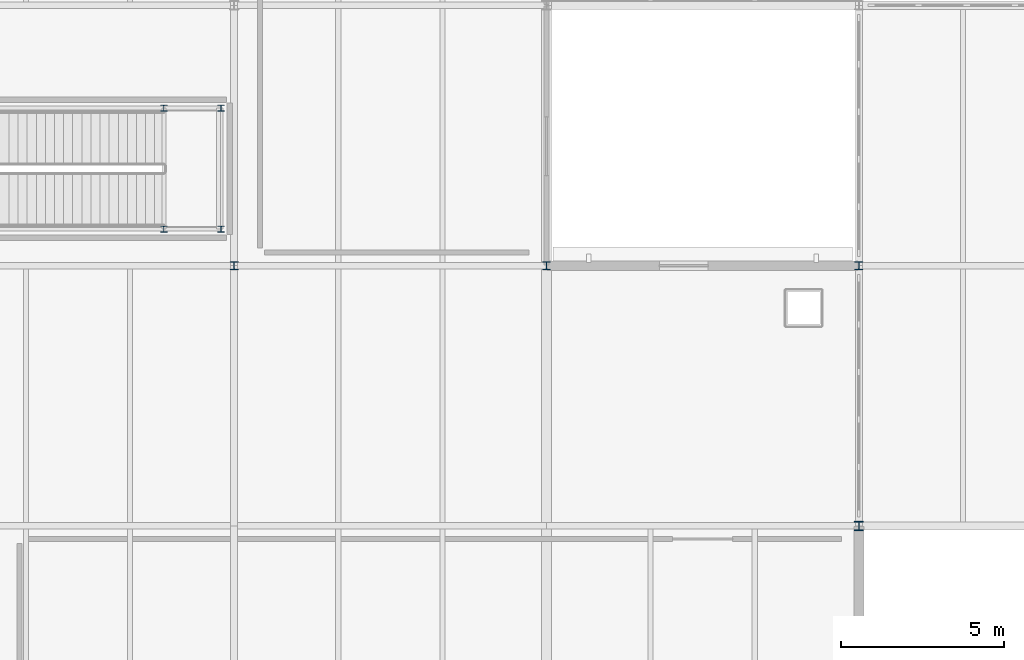
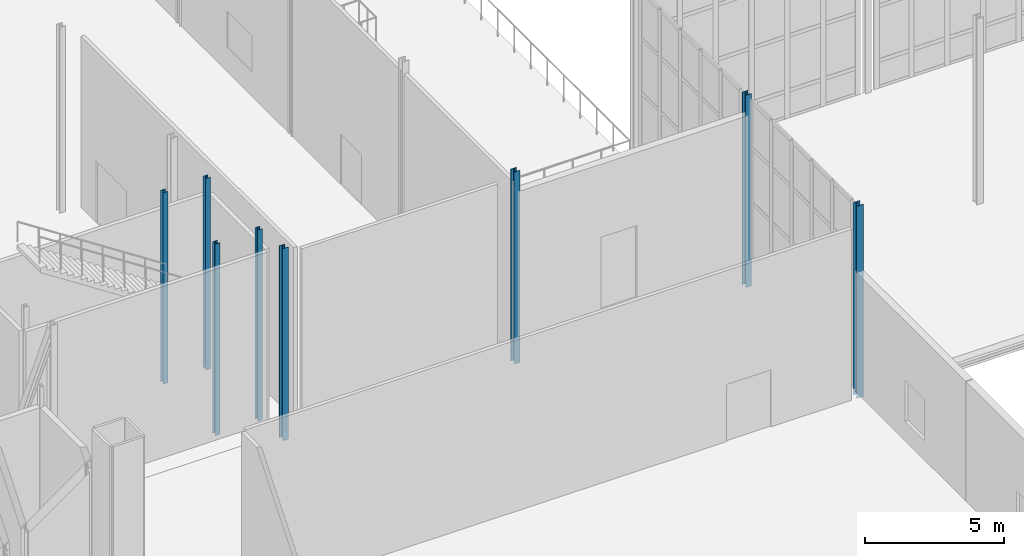
# One storey, part 6 of 73: 8 columns.
"""IFC4 building model written with IfcOpenShell, lengths in metres."""

import ifcopenshell
import ifcopenshell.guid

model = None  # the IFC model being written
_history = None  # IfcOwnerHistory: only IFC2X3 demands one
_inside = {}  # id of a spatial element -> (the spatial element, [elements in it])
_under = {}  # id of a project, library or spatial element -> (it, [spatial elements below it])
_declared = {}  # id of a project -> (the project, [libraries it declares])
_typed = {}  # id of a type object -> (the type object, [elements of that type])
_made_of = {}  # id of a material, layer set ... -> (it, [elements and type objects made of it])


def new_model(schema):
    """Start an empty IFC model of exactly this schema.

    Asked for "IFC4X3", IfcOpenShell would pick the latest addendum, in which some entities
    have other attributes; the version numbers below select the first issue.
    IFC2X3 requires an IfcOwnerHistory on every rooted entity: one is made here for all.
    """
    global model, _history
    if schema == "IFC4X3":
        model = ifcopenshell.file(schema_version=(4, 3, 0, 0))
    else:
        model = ifcopenshell.file(schema=schema)
    _inside.clear()
    _under.clear()
    _declared.clear()
    _typed.clear()
    _made_of.clear()
    _history = None
    if model.schema == "IFC2X3":
        org = make("IfcOrganization", Name="unknown")
        user = make(
            "IfcPersonAndOrganization",
            ThePerson=make("IfcPerson", FamilyName="unknown"),
            TheOrganization=org,
        )
        app = make(
            "IfcApplication",
            ApplicationDeveloper=org,
            Version="unknown",
            ApplicationFullName="unknown",
            ApplicationIdentifier="unknown",
        )
        _history = make(
            "IfcOwnerHistory",
            OwningUser=user,
            OwningApplication=app,
            ChangeAction="ADDED",
            CreationDate=0,
        )
    return model


def make(cls, **values):
    """One entity of the class cls with the attributes given. An attribute that is None is left unset."""
    return model.create_entity(
        cls, **{name: value for name, value in values.items() if value is not None}
    )


def rooted(cls, **values):
    """An entity with a GlobalId (a new one), such as an element, a storey or a relation."""
    return make(cls, GlobalId=ifcopenshell.guid.new(), OwnerHistory=_history, **values)


def si_unit(unit_type, name, prefix=None):
    """IfcSIUnit, for example si_unit("LENGTHUNIT", "METRE", prefix="MILLI")."""
    return make("IfcSIUnit", UnitType=unit_type, Prefix=prefix, Name=name)


def assignment(units):
    """IfcUnitAssignment: the units of a project."""
    return None if units is None else make("IfcUnitAssignment", Units=units)


def point(xyz):
    """IfcCartesianPoint."""
    return None if xyz is None else make("IfcCartesianPoint", Coordinates=xyz)


def direction(xyz):
    """IfcDirection."""
    return None if xyz is None else make("IfcDirection", DirectionRatios=xyz)


def frame(location, z_axis=None, x_axis=None):
    """IfcAxis2Placement3D, a coordinate frame: its origin and axes. An axis left out is left unset."""
    return make(
        "IfcAxis2Placement3D",
        Location=point(location),
        Axis=direction(z_axis),
        RefDirection=direction(x_axis),
    )


def frame_2d(location, x_axis=None):
    """IfcAxis2Placement2D, a coordinate frame in the plane: its origin and x axis."""
    return make(
        "IfcAxis2Placement2D", Location=point(location), RefDirection=direction(x_axis)
    )


def origin():
    """The frame at (0, 0, 0) with its axes left unset."""
    return frame((0.0, 0.0, 0.0))


def origin_2d():
    """The frame at (0, 0) in the plane with its x axis left unset."""
    return frame_2d((0.0, 0.0))


def place(relative_to, where):
    """IfcLocalPlacement: puts the frame where relative to a parent placement (None: the world)."""
    return make(
        "IfcLocalPlacement", PlacementRelTo=relative_to, RelativePlacement=where
    )


def context(
    kind, dimensions, precision=None, world=None, true_north=None, identifier=None
):
    """IfcGeometricRepresentationContext, for example the 3D "Model" context."""
    return make(
        "IfcGeometricRepresentationContext",
        ContextIdentifier=identifier,
        ContextType=kind,
        CoordinateSpaceDimension=dimensions,
        Precision=precision,
        WorldCoordinateSystem=world,
        TrueNorth=true_north,
    )


def subcontext(parent, identifier, kind, view, scale=None):
    """IfcGeometricRepresentationSubContext, for example "Body" below "Model"."""
    return make(
        "IfcGeometricRepresentationSubContext",
        ContextIdentifier=identifier,
        ContextType=kind,
        ParentContext=parent,
        TargetScale=scale,
        TargetView=view,
    )


def project(units=None, contexts=None):
    """IfcProject with its units and contexts."""
    return rooted(
        "IfcProject",
        Name="project",
        RepresentationContexts=contexts,
        UnitsInContext=assignment(units),
    )


def spatial(cls, under=None, at=None, **own):
    """A site, building, storey or space (cls), placed at a placement, below another one or the project."""
    s = rooted(cls, ObjectPlacement=at, **own)
    if under is not None:
        _under.setdefault(under.id(), (under, []))[1].append(s)
    return s


def profile(cls, at=None, kind="AREA", **sizes):
    """A parametric profile (cls). Its sizes go by their IFC names, for example OverallWidth=200.0."""
    return make(cls, ProfileType=kind, Position=at, **sizes)


def i_section(**sizes):
    """IfcIShapeProfileDef."""
    return profile("IfcIShapeProfileDef", **sizes)


def extrude(swept, where, along, depth):
    """IfcExtrudedAreaSolid: the profile swept, set in the frame where, extruded along a direction by depth."""
    return make(
        "IfcExtrudedAreaSolid",
        SweptArea=swept,
        Position=where,
        ExtrudedDirection=direction(along),
        Depth=depth,
    )


def shape(context_of_items, identifier, shape_type, items):
    """IfcShapeRepresentation: the items that make up one representation, for example the "Body"."""
    return make(
        "IfcShapeRepresentation",
        ContextOfItems=context_of_items,
        RepresentationIdentifier=identifier,
        RepresentationType=shape_type,
        Items=items,
    )


def material(Name=None, Category=None):
    """IfcMaterial."""
    return make("IfcMaterial", Name=Name, Category=Category)


def material_profile(
    of_material, cross_section, Name=None, Category=None, Priority=None
):
    """IfcMaterialProfile: a cross section and its material."""
    return make(
        "IfcMaterialProfile",
        Name=Name,
        Material=of_material,
        Profile=cross_section,
        Priority=Priority,
        Category=Category,
    )


def profile_set(profiles, Name=None, composite=None):
    """IfcMaterialProfileSet."""
    return make(
        "IfcMaterialProfileSet",
        Name=Name,
        MaterialProfiles=profiles,
        CompositeProfile=composite,
    )


def made_of(thing, what):
    """Note that an element or type object is made of a material, layer set ...; save() writes the relation."""
    if what is not None:
        _made_of.setdefault(what.id(), (what, []))[1].append(thing)
    return thing


def type_object(cls, material=None, **own):
    """A type object (cls), such as IfcWallType, which elements share."""
    return made_of(rooted(cls, **own), material)


def element(
    cls,
    number,
    at=None,
    inside=None,
    cuts=None,
    type_object=None,
    material=None,
    context=None,
    identifier="Body",
    shape_type=None,
    held_by="IfcProductDefinitionShape",
    body=None,
    shapes=None,
    **own,
):
    """One element of the class cls, such as IfcWall. Its Tag is "e" and its number.

    at: its placement. inside: the storey or other place that contains it. cuts: it is an
    opening in that element (IfcRelVoidsElement). A single representation is given by context,
    identifier, shape_type and body (its items); several are given by shapes. held_by: the class
    of the entity that holds the representations. save() writes the other relations.
    """
    e = rooted(cls, Tag="e%d" % number, ObjectPlacement=at, **own)
    if body is not None:
        shapes = [shape(context, identifier, shape_type, body)]
    if shapes is not None:
        e.Representation = make(held_by, Representations=shapes)
    if inside is not None:
        _inside.setdefault(inside.id(), (inside, []))[1].append(e)
    if cuts is not None:
        rooted(
            "IfcRelVoidsElement", RelatingBuildingElement=cuts, RelatedOpeningElement=e
        )
    if type_object is not None:
        _typed.setdefault(type_object.id(), (type_object, []))[1].append(e)
    return made_of(e, material)


def aggregate(whole, parts):
    """IfcRelAggregates: a whole, such as a stair, and the parts it consists of."""
    return rooted("IfcRelAggregates", RelatingObject=whole, RelatedObjects=parts)


def save(model, path):
    """Write the relations noted so far, then the file.

    IfcRelAggregates (storeys below a building ...), IfcRelContainedInSpatialStructure (elements
    in a storey), IfcRelDefinesByType, IfcRelAssociatesMaterial and IfcRelDeclares: one each for
    every whole, place, type object, material and project.
    """
    for whole, parts in _under.values():
        aggregate(whole, parts)
    for where, things in _inside.values():
        rooted(
            "IfcRelContainedInSpatialStructure",
            RelatedElements=things,
            RelatingStructure=where,
        )
    for kind, things in _typed.values():
        rooted("IfcRelDefinesByType", RelatedObjects=things, RelatingType=kind)
    for what, things in _made_of.values():
        rooted("IfcRelAssociatesMaterial", RelatedObjects=things, RelatingMaterial=what)
    for by, libraries in _declared.values():
        rooted("IfcRelDeclares", RelatingContext=by, RelatedDefinitions=libraries)
    model.write(path)


model = new_model("IFC4")

# Units and contexts
model_context = context("Model", 3, precision=1e-05, world=origin(), true_north=direction((0.0, 1.0)))
body_context = subcontext(model_context, "Body", "Model", "MODEL_VIEW")
ifc_project = project(units=[si_unit("LENGTHUNIT", "METRE"), si_unit("AREAUNIT", "SQUARE_METRE"), si_unit("VOLUMEUNIT", "CUBIC_METRE"), si_unit("PLANEANGLEUNIT", "RADIAN"), si_unit("MASSUNIT", "GRAM", prefix="KILO")], contexts=[model_context])

# Site, building, storey
site_placement = place(None, origin())
site = spatial("IfcSite", under=ifc_project, at=site_placement, CompositionType="ELEMENT")
building_placement = place(site_placement, origin())
building = spatial("IfcBuilding", under=site, at=building_placement, Name="Alderhovde Museum", CompositionType="ELEMENT")
storey_placement = place(building_placement, frame((0.0, 0.0, 17.39990234375)))
storey = spatial("IfcBuildingStorey", under=building, at=storey_placement, Name="L04", CompositionType="ELEMENT", Elevation=17.39990234375)

# Columns
ifc_material_1 = material(Name="Steel S355J2", Category="steel")
ifc_material_profile_1 = material_profile(ifc_material_1, i_section(OverallWidth=0.199951171875, OverallDepth=0.18994140625, WebThickness=0.006591796875, FlangeThickness=0.010009765625, FilletRadius=0.01806640625, at=origin_2d()), Name="HEA 200")
ifc_profile_set_1 = profile_set([ifc_material_profile_1], Name="Steel S355J2")
column_type_1 = type_object("IfcColumnType", Name="COL-HEA200", PredefinedType="COLUMN", material=ifc_profile_set_1)
for number, where, z_axis, x_axis, name in (
    (1, (38.0, 81.1201171875, 0.0), (0.0, 0.0, 1.0), (1.0, 0.0, 0.0), "L04 Stair ST2 Shaft Column 2"),
    (2, (38.0, 84.840087890625, 0.0), (0.0, 0.0, 1.0), (1.0, 0.0, 0.0), "L04 Stair ST2 Shaft Column 3"),
    (3, (36.239990234375, 81.1201171875, 0.0), (0.0, 0.0, 1.0), (1.0, 0.0, 0.0), "L04 Stair ST2 Shaft Column 5"),
    (4, (36.239990234375, 84.840087890625, 0.0), (0.0, 0.0, 1.0), (1.0, 0.0, 0.0), "L04 Stair ST2 Shaft Column 6"),
):
    element("IfcColumn", number, at=place(storey_placement, frame(where, z_axis=z_axis, x_axis=x_axis)), inside=storey, type_object=column_type_1, Name=name, PredefinedType="COLUMN", context=body_context, shape_type="SweptSolid", body=[
        extrude(i_section(OverallWidth=0.199951171875, OverallDepth=0.18994140625, WebThickness=0.006591796875, FlangeThickness=0.010009765625, FilletRadius=0.01806640625, at=origin_2d()), origin(), (0.0, 0.0, 1.0), 8.400146484375),
    ])
ifc_material_2 = material(Name="Steel S355J2", Category="steel")
ifc_material_profile_2 = material_profile(ifc_material_2, i_section(OverallWidth=0.239990234375, OverallDepth=0.239990234375, WebThickness=0.010009765625, FlangeThickness=0.01708984375, FilletRadius=0.02099609375, at=origin_2d()), Name="HEB 240")
ifc_profile_set_2 = profile_set([ifc_material_profile_2], Name="Steel S355J2")
column_type_2 = type_object("IfcColumnType", Name="COL-HEB240", PredefinedType="COLUMN", material=ifc_profile_set_2)
for number, where, z_axis, x_axis, name in (
    (5, (38.39990234375, 80.0, -0.27978515625), (0.0, 0.0, 1.0), (1.0, 0.0, 0.0), "L04 Column (38.4, 80.0)"),
    (6, (48.0, 80.0, -0.27978515625), (0.0, 0.0, 1.0), (1.0, 0.0, 0.0), "L04 Column (48.0, 80.0)"),
):
    element("IfcColumn", number, at=place(storey_placement, frame(where, z_axis=z_axis, x_axis=x_axis)), inside=storey, type_object=column_type_2, Name=name, PredefinedType="COLUMN", context=body_context, shape_type="SweptSolid", body=[
        extrude(i_section(OverallWidth=0.239990234375, OverallDepth=0.239990234375, WebThickness=0.010009765625, FlangeThickness=0.01708984375, FilletRadius=0.02099609375, at=origin_2d()), origin(), (0.0, 0.0, 1.0), 8.419921875),
    ])
column_1_placement = place(storey_placement, frame((57.60009765625, 80.0, -0.27978515625), z_axis=(0.0, 0.0, 1.0), x_axis=(1.0, 0.0, 0.0)))
element("IfcColumn", 7, at=column_1_placement, inside=storey, type_object=column_type_2, Name="L04 Column (57.6, 80.0)", PredefinedType="COLUMN", context=body_context, shape_type="SweptSolid", body=[
    extrude(i_section(OverallWidth=0.239990234375, OverallDepth=0.239990234375, WebThickness=0.010009765625, FlangeThickness=0.01708984375, FilletRadius=0.02099609375, at=origin_2d()), origin(), (0.0, 0.0, 1.0), 8.429931640625),
])
ifc_material_3 = material(Name="Steel S355J2", Category="steel")
ifc_material_profile_3 = material_profile(ifc_material_3, i_section(OverallWidth=0.280029296875, OverallDepth=0.280029296875, WebThickness=0.010498046875, FlangeThickness=0.01806640625, FilletRadius=0.02392578125, at=origin_2d()), Name="HEB 280")
ifc_profile_set_3 = profile_set([ifc_material_profile_3], Name="Steel S355J2")
column_type_3 = type_object("IfcColumnType", Name="COL-HEB280", PredefinedType="COLUMN", material=ifc_profile_set_3)
column_2_placement = place(storey_placement, frame((57.60009765625, 72.0, -0.27978515625), z_axis=(0.0, 0.0, 1.0), x_axis=(1.0, 0.0, 0.0)))
element("IfcColumn", 8, at=column_2_placement, inside=storey, type_object=column_type_3, Name="L04 Column (57.6, 72.0)", PredefinedType="COLUMN", context=body_context, shape_type="SweptSolid", body=[
    extrude(i_section(OverallWidth=0.280029296875, OverallDepth=0.280029296875, WebThickness=0.010498046875, FlangeThickness=0.01806640625, FilletRadius=0.02392578125, at=origin_2d()), origin(), (0.0, 0.0, 1.0), 8.429931640625),
])

save(model, "model.ifc")
